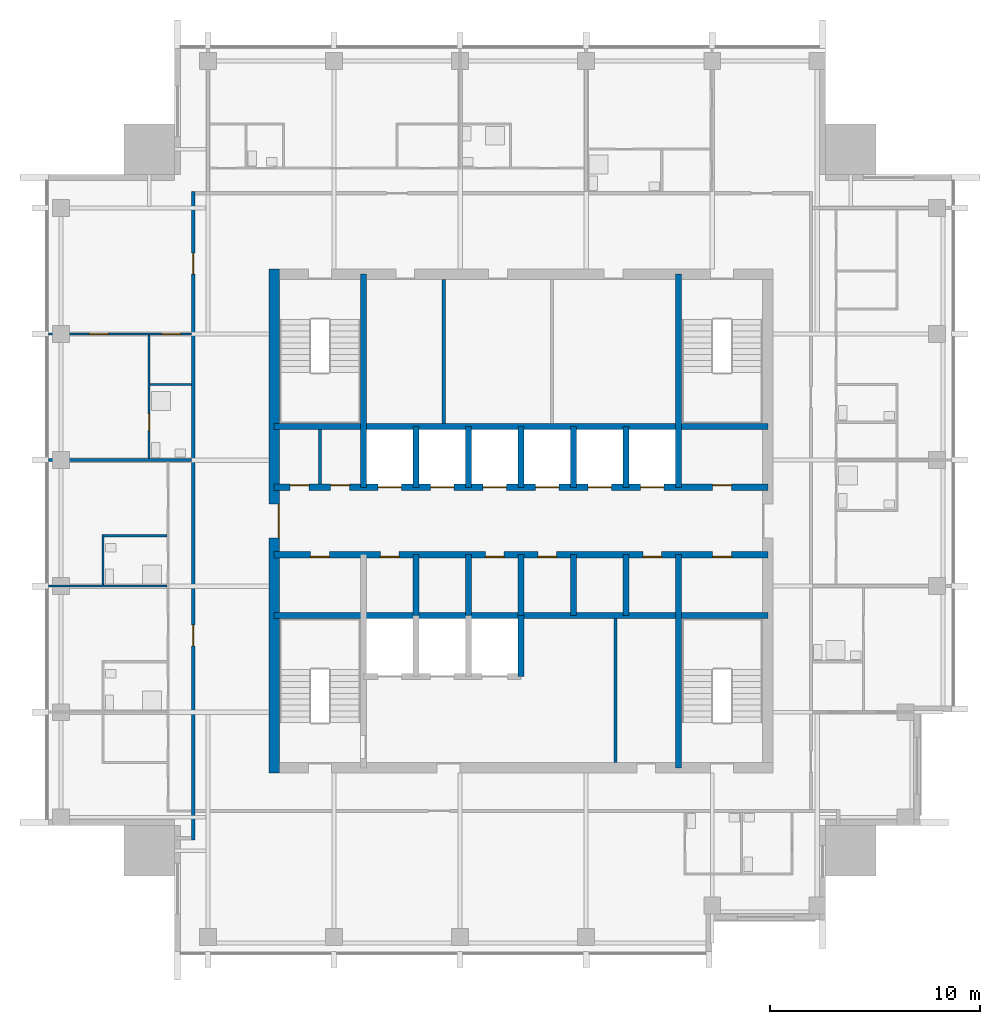
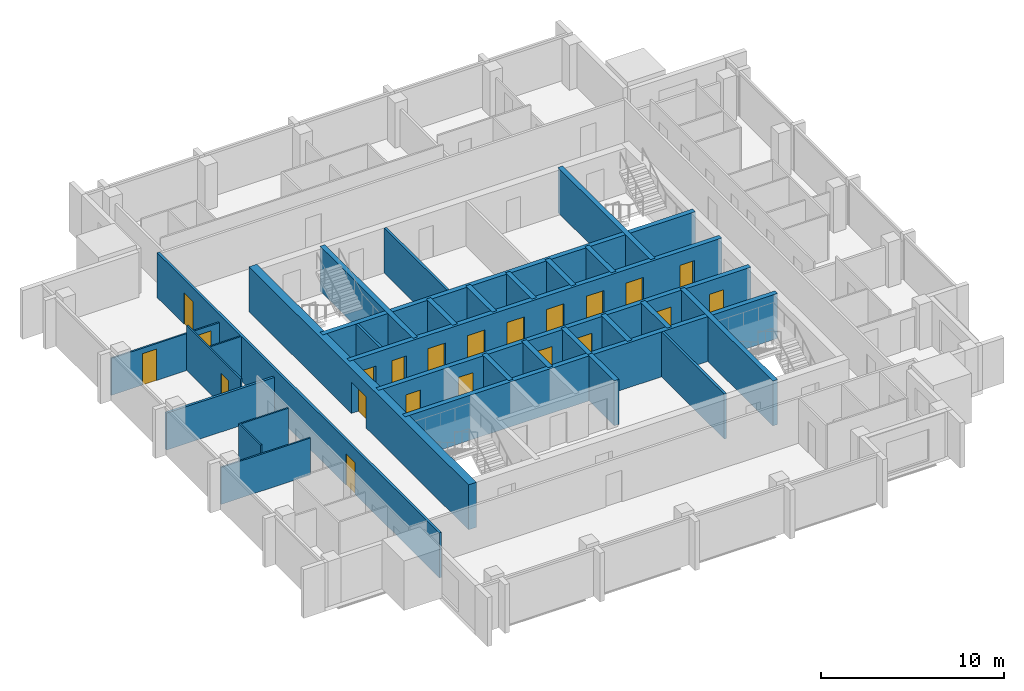
# One storey, part 4 of 9: 30 walls, 21 doors, 21 openings.
"""IFC4 building model written with IfcOpenShell, lengths in metres."""

from ifc_helpers import new_model, si_unit, direction, frame, frame_2d, origin, place, context, subcontext, project, spatial, rectangle, extrude, material, layer, layer_set, type_object, element, fill, save


model = new_model("IFC4")

# Units and contexts
model_context = context("Model", 3, precision=1e-05, world=origin(), true_north=direction((0.0, 1.0)))
body_context = subcontext(model_context, "Body", "Model", "MODEL_VIEW")
ifc_project = project(units=[si_unit("LENGTHUNIT", "METRE"), si_unit("AREAUNIT", "SQUARE_METRE"), si_unit("VOLUMEUNIT", "CUBIC_METRE"), si_unit("PLANEANGLEUNIT", "RADIAN"), si_unit("MASSUNIT", "GRAM", prefix="KILO")], contexts=[model_context])

# Site, building, storey
site_placement = place(None, origin())
site = spatial("IfcSite", under=ifc_project, at=site_placement, CompositionType="ELEMENT")
building_placement = place(site_placement, origin())
building = spatial("IfcBuilding", under=site, at=building_placement, Name="Amberfall Residences", CompositionType="ELEMENT")
storey_placement = place(building_placement, frame((0.0, 0.0, 278.5)))
storey = spatial("IfcBuildingStorey", under=building, at=storey_placement, Name="L75", CompositionType="ELEMENT", Elevation=278.5)

# Wall
ifc_material_1 = material(Name="Concrete C50", Category="concrete")
ifc_layer_1 = layer(ifc_material_1, 0.300048828125)
ifc_layer_set_1 = layer_set([ifc_layer_1], Name="Core wall 300 C50")
wall_type_1 = type_object("IfcWallType", Name="Core wall 300 C50", PredefinedType="SHEAR", material=ifc_layer_set_1)
wall_1_placement = place(storey_placement, frame((62.75, 41.0, 0.0), z_axis=(0.0, 0.0, 1.0), x_axis=(1.0, 0.0, 0.0)))
element("IfcWall", 1, at=wall_1_placement, inside=storey, type_object=wall_type_1, Name="Core wall RW10 L75 H75", PredefinedType="SHEAR", context=body_context, shape_type="SweptSolid", body=[
    extrude(rectangle(XDim=23.5, YDim=0.300048828125, at=frame_2d((11.75, 0.0))), origin(), (0.0, 0.0, 1.0), 3.0),
])

# Wall, openings, doors
wall_2_placement = place(storey_placement, frame((62.75, 43.89990234375, 0.0), z_axis=(0.0, 0.0, 1.0), x_axis=(1.0, 0.0, 0.0)))
wall_2 = element("IfcWall", 2, at=wall_2_placement, inside=storey, type_object=wall_type_1, Name="Core wall RW10 L75 H104", PredefinedType="SHEAR", context=body_context, shape_type="SweptSolid", body=[
    extrude(rectangle(XDim=23.5, YDim=0.300048828125, at=frame_2d((11.75, 0.0))), origin(), (0.0, 0.0, 1.0), 3.0),
])
opening_1_placement = place(wall_2_placement, frame((1.72509765625, 0.0, 0.0)))
opening_1 = element("IfcOpeningElement", 3, at=opening_1_placement, cuts=wall_2, Name="Opening RD1", PredefinedType="OPENING", context=body_context, shape_type="SweptSolid", body=[
    extrude(rectangle(XDim=0.89990234375, YDim=2.10009765625, at=frame_2d((0.449951171875, 1.050048828125))), frame((0.0, 0.159912109375, 0.0), z_axis=(0.0, -1.0, 0.0), x_axis=(1.0, 0.0, 0.0)), (0.0, 0.0, 1.0), 0.320068359375),
])
opening_2_placement = place(wall_2_placement, frame((20.875, 0.0, 0.0)))
opening_2 = element("IfcOpeningElement", 4, at=opening_2_placement, cuts=wall_2, Name="Opening RD1", PredefinedType="OPENING", context=body_context, shape_type="SweptSolid", body=[
    extrude(rectangle(XDim=0.89990234375, YDim=2.10009765625, at=frame_2d((0.449951171875, 1.050048828125))), frame((0.0, 0.159912109375, 0.0), z_axis=(0.0, -1.0, 0.0), x_axis=(1.0, 0.0, 0.0)), (0.0, 0.0, 1.0), 0.320068359375),
])
opening_3_placement = place(wall_2_placement, frame((5.050048828125, 0.0, 0.0)))
opening_3 = element("IfcOpeningElement", 5, at=opening_3_placement, cuts=wall_2, Name="Opening RD1", PredefinedType="OPENING", context=body_context, shape_type="SweptSolid", body=[
    extrude(rectangle(XDim=0.89990234375, YDim=2.10009765625, at=frame_2d((0.449951171875, 1.050048828125))), frame((0.0, 0.159912109375, 0.0), z_axis=(0.0, -1.0, 0.0), x_axis=(1.0, 0.0, 0.0)), (0.0, 0.0, 1.0), 0.320068359375),
])
opening_4_placement = place(wall_2_placement, frame((10.050048828125, 0.0, 0.0)))
opening_4 = element("IfcOpeningElement", 6, at=opening_4_placement, cuts=wall_2, Name="Opening RD1", PredefinedType="OPENING", context=body_context, shape_type="SweptSolid", body=[
    extrude(rectangle(XDim=0.89990234375, YDim=2.10009765625, at=frame_2d((0.449951171875, 1.050048828125))), frame((0.0, 0.159912109375, 0.0), z_axis=(0.0, -1.0, 0.0), x_axis=(1.0, 0.0, 0.0)), (0.0, 0.0, 1.0), 0.320068359375),
])
opening_5_placement = place(wall_2_placement, frame((12.550048828125, 0.0, 0.0)))
opening_5 = element("IfcOpeningElement", 7, at=opening_5_placement, cuts=wall_2, Name="Opening RD1", PredefinedType="OPENING", context=body_context, shape_type="SweptSolid", body=[
    extrude(rectangle(XDim=0.89990234375, YDim=2.10009765625, at=frame_2d((0.449951171875, 1.050048828125))), frame((0.0, 0.159912109375, 0.0), z_axis=(0.0, -1.0, 0.0), x_axis=(1.0, 0.0, 0.0)), (0.0, 0.0, 1.0), 0.320068359375),
])
opening_6_placement = place(wall_2_placement, frame((17.550048828125, 0.0, 0.0)))
opening_6 = element("IfcOpeningElement", 8, at=opening_6_placement, cuts=wall_2, Name="Opening RD1", PredefinedType="OPENING", context=body_context, shape_type="SweptSolid", body=[
    extrude(rectangle(XDim=0.89990234375, YDim=2.10009765625, at=frame_2d((0.449951171875, 1.050048828125))), frame((0.0, 0.159912109375, 0.0), z_axis=(0.0, -1.0, 0.0), x_axis=(1.0, 0.0, 0.0)), (0.0, 0.0, 1.0), 0.320068359375),
])
ifc_material_2 = material(Name="Steel fire door set", Category="steel")
door_type_1 = type_object("IfcDoorType", Name="Service room door 900 x 2100", OperationType="SINGLE_SWING_LEFT", PredefinedType="DOOR", material=ifc_material_2)
door_1_placement = place(opening_1_placement, origin())
door_1 = element("IfcDoor", 9, at=door_1_placement, inside=storey, type_object=door_type_1, Name="RD1 L75", OperationType="SINGLE_SWING_LEFT", OverallHeight=2.10009765625, OverallWidth=0.89990234375, PredefinedType="DOOR", context=body_context, shape_type="SweptSolid", body=[
    extrude(rectangle(XDim=0.89990234375, YDim=2.10009765625, at=frame_2d((0.449951171875, 1.050048828125))), frame((0.0, -0.08740234375, 0.0), z_axis=(0.0, -1.0, 0.0), x_axis=(1.0, 0.0, 0.0)), (0.0, 0.0, 1.0), 0.050048828125),
])
fill(opening_1, door_1)
door_2_placement = place(opening_2_placement, origin())
door_2 = element("IfcDoor", 10, at=door_2_placement, inside=storey, type_object=door_type_1, Name="RD1 L75", OperationType="SINGLE_SWING_LEFT", OverallHeight=2.10009765625, OverallWidth=0.89990234375, PredefinedType="DOOR", context=body_context, shape_type="SweptSolid", body=[
    extrude(rectangle(XDim=0.89990234375, YDim=2.10009765625, at=frame_2d((0.449951171875, 1.050048828125))), frame((0.0, -0.08740234375, 0.0), z_axis=(0.0, -1.0, 0.0), x_axis=(1.0, 0.0, 0.0)), (0.0, 0.0, 1.0), 0.050048828125),
])
fill(opening_2, door_2)
door_3_placement = place(opening_3_placement, origin())
door_3 = element("IfcDoor", 11, at=door_3_placement, inside=storey, type_object=door_type_1, Name="RD1 L75", OperationType="SINGLE_SWING_RIGHT", OverallHeight=2.10009765625, OverallWidth=0.89990234375, PredefinedType="DOOR", context=body_context, shape_type="SweptSolid", body=[
    extrude(rectangle(XDim=0.89990234375, YDim=2.10009765625, at=frame_2d((0.449951171875, 1.050048828125))), frame((0.0, -0.08740234375, 0.0), z_axis=(0.0, -1.0, 0.0), x_axis=(1.0, 0.0, 0.0)), (0.0, 0.0, 1.0), 0.050048828125),
])
fill(opening_3, door_3)
door_4_placement = place(opening_4_placement, origin())
door_4 = element("IfcDoor", 12, at=door_4_placement, inside=storey, type_object=door_type_1, Name="RD1 L75", OperationType="SINGLE_SWING_RIGHT", OverallHeight=2.10009765625, OverallWidth=0.89990234375, PredefinedType="DOOR", context=body_context, shape_type="SweptSolid", body=[
    extrude(rectangle(XDim=0.89990234375, YDim=2.10009765625, at=frame_2d((0.449951171875, 1.050048828125))), frame((0.0, -0.08740234375, 0.0), z_axis=(0.0, -1.0, 0.0), x_axis=(1.0, 0.0, 0.0)), (0.0, 0.0, 1.0), 0.050048828125),
])
fill(opening_4, door_4)
door_5_placement = place(opening_5_placement, origin())
door_5 = element("IfcDoor", 13, at=door_5_placement, inside=storey, type_object=door_type_1, Name="RD1 L75", OperationType="SINGLE_SWING_LEFT", OverallHeight=2.10009765625, OverallWidth=0.89990234375, PredefinedType="DOOR", context=body_context, shape_type="SweptSolid", body=[
    extrude(rectangle(XDim=0.89990234375, YDim=2.10009765625, at=frame_2d((0.449951171875, 1.050048828125))), frame((0.0, -0.08740234375, 0.0), z_axis=(0.0, -1.0, 0.0), x_axis=(1.0, 0.0, 0.0)), (0.0, 0.0, 1.0), 0.050048828125),
])
fill(opening_5, door_5)
door_6_placement = place(opening_6_placement, origin())
door_6 = element("IfcDoor", 14, at=door_6_placement, inside=storey, type_object=door_type_1, Name="RD1 L75", OperationType="SINGLE_SWING_LEFT", OverallHeight=2.10009765625, OverallWidth=0.89990234375, PredefinedType="DOOR", context=body_context, shape_type="SweptSolid", body=[
    extrude(rectangle(XDim=0.89990234375, YDim=2.10009765625, at=frame_2d((0.449951171875, 1.050048828125))), frame((0.0, -0.08740234375, 0.0), z_axis=(0.0, -1.0, 0.0), x_axis=(1.0, 0.0, 0.0)), (0.0, 0.0, 1.0), 0.050048828125),
])
fill(opening_6, door_6)

wall_3_placement = place(storey_placement, frame((62.75, 47.10009765625, 0.0), z_axis=(0.0, 0.0, 1.0), x_axis=(1.0, 0.0, 0.0)))
wall_3 = element("IfcWall", 15, at=wall_3_placement, inside=storey, type_object=wall_type_1, Name="Core wall RW10 L75 H136", PredefinedType="SHEAR", context=body_context, shape_type="SweptSolid", body=[
    extrude(rectangle(XDim=23.5, YDim=0.300048828125, at=frame_2d((11.75, 0.0))), origin(), (0.0, 0.0, 1.0), 3.0),
])
opening_7_placement = place(wall_3_placement, frame((0.762451171875, 0.0, 0.0)))
opening_7 = element("IfcOpeningElement", 16, at=opening_7_placement, cuts=wall_3, Name="Opening RD1", PredefinedType="OPENING", context=body_context, shape_type="SweptSolid", body=[
    extrude(rectangle(XDim=0.89990234375, YDim=2.10009765625, at=frame_2d((0.449951171875, 1.050048828125))), frame((0.0, 0.159912109375, 0.0), z_axis=(0.0, -1.0, 0.0), x_axis=(1.0, 0.0, 0.0)), (0.0, 0.0, 1.0), 0.320068359375),
])
opening_8_placement = place(wall_3_placement, frame((2.6875, 0.0, 0.0)))
opening_8 = element("IfcOpeningElement", 17, at=opening_8_placement, cuts=wall_3, Name="Opening RD1", PredefinedType="OPENING", context=body_context, shape_type="SweptSolid", body=[
    extrude(rectangle(XDim=0.89990234375, YDim=2.10009765625, at=frame_2d((0.449951171875, 1.050048828125))), frame((0.0, 0.159912109375, 0.0), z_axis=(0.0, -1.0, 0.0), x_axis=(1.0, 0.0, 0.0)), (0.0, 0.0, 1.0), 0.320068359375),
])
opening_9_placement = place(wall_3_placement, frame((20.875, 0.0, 0.0)))
opening_9 = element("IfcOpeningElement", 18, at=opening_9_placement, cuts=wall_3, Name="Opening RD1", PredefinedType="OPENING", context=body_context, shape_type="SweptSolid", body=[
    extrude(rectangle(XDim=0.89990234375, YDim=2.10009765625, at=frame_2d((0.449951171875, 1.050048828125))), frame((0.0, 0.159912109375, 0.0), z_axis=(0.0, -1.0, 0.0), x_axis=(1.0, 0.0, 0.0)), (0.0, 0.0, 1.0), 0.320068359375),
])
opening_10_placement = place(wall_3_placement, frame((4.949951171875, 0.0, 0.0)))
opening_10 = element("IfcOpeningElement", 19, at=opening_10_placement, cuts=wall_3, Name="Opening LD1", PredefinedType="OPENING", context=body_context, shape_type="SweptSolid", body=[
    extrude(rectangle(XDim=1.10009765625, YDim=2.10009765625, at=frame_2d((0.550048828125, 1.050048828125))), frame((0.0, 0.159912109375, 0.0), z_axis=(0.0, -1.0, 0.0), x_axis=(1.0, 0.0, 0.0)), (0.0, 0.0, 1.0), 0.320068359375),
])
opening_11_placement = place(wall_3_placement, frame((7.449951171875, 0.0, 0.0)))
opening_11 = element("IfcOpeningElement", 20, at=opening_11_placement, cuts=wall_3, Name="Opening LD1", PredefinedType="OPENING", context=body_context, shape_type="SweptSolid", body=[
    extrude(rectangle(XDim=1.10009765625, YDim=2.10009765625, at=frame_2d((0.550048828125, 1.050048828125))), frame((0.0, 0.159912109375, 0.0), z_axis=(0.0, -1.0, 0.0), x_axis=(1.0, 0.0, 0.0)), (0.0, 0.0, 1.0), 0.320068359375),
])
opening_12_placement = place(wall_3_placement, frame((9.949951171875, 0.0, 0.0)))
opening_12 = element("IfcOpeningElement", 21, at=opening_12_placement, cuts=wall_3, Name="Opening LD1", PredefinedType="OPENING", context=body_context, shape_type="SweptSolid", body=[
    extrude(rectangle(XDim=1.10009765625, YDim=2.10009765625, at=frame_2d((0.550048828125, 1.050048828125))), frame((0.0, 0.159912109375, 0.0), z_axis=(0.0, -1.0, 0.0), x_axis=(1.0, 0.0, 0.0)), (0.0, 0.0, 1.0), 0.320068359375),
])
opening_13_placement = place(wall_3_placement, frame((12.449951171875, 0.0, 0.0)))
opening_13 = element("IfcOpeningElement", 22, at=opening_13_placement, cuts=wall_3, Name="Opening LD1", PredefinedType="OPENING", context=body_context, shape_type="SweptSolid", body=[
    extrude(rectangle(XDim=1.10009765625, YDim=2.10009765625, at=frame_2d((0.550048828125, 1.050048828125))), frame((0.0, 0.159912109375, 0.0), z_axis=(0.0, -1.0, 0.0), x_axis=(1.0, 0.0, 0.0)), (0.0, 0.0, 1.0), 0.320068359375),
])
opening_14_placement = place(wall_3_placement, frame((14.949951171875, 0.0, 0.0)))
opening_14 = element("IfcOpeningElement", 23, at=opening_14_placement, cuts=wall_3, Name="Opening LD1", PredefinedType="OPENING", context=body_context, shape_type="SweptSolid", body=[
    extrude(rectangle(XDim=1.10009765625, YDim=2.10009765625, at=frame_2d((0.550048828125, 1.050048828125))), frame((0.0, 0.159912109375, 0.0), z_axis=(0.0, -1.0, 0.0), x_axis=(1.0, 0.0, 0.0)), (0.0, 0.0, 1.0), 0.320068359375),
])
opening_15_placement = place(wall_3_placement, frame((17.449951171875, 0.0, 0.0)))
opening_15 = element("IfcOpeningElement", 24, at=opening_15_placement, cuts=wall_3, Name="Opening LD1", PredefinedType="OPENING", context=body_context, shape_type="SweptSolid", body=[
    extrude(rectangle(XDim=1.10009765625, YDim=2.10009765625, at=frame_2d((0.550048828125, 1.050048828125))), frame((0.0, 0.159912109375, 0.0), z_axis=(0.0, -1.0, 0.0), x_axis=(1.0, 0.0, 0.0)), (0.0, 0.0, 1.0), 0.320068359375),
])
door_type_2 = type_object("IfcDoorType", Name="Lift landing door 1100 x 2100", OperationType="DOUBLE_DOOR_SLIDING", PredefinedType="DOOR", material=ifc_material_2)
door_7_placement = place(opening_10_placement, origin())
door_7 = element("IfcDoor", 25, at=door_7_placement, inside=storey, type_object=door_type_2, Name="Landing door HP1 L75", OperationType="DOUBLE_DOOR_SLIDING", OverallHeight=2.10009765625, OverallWidth=1.10009765625, PredefinedType="DOOR", context=body_context, shape_type="SweptSolid", body=[
    extrude(rectangle(XDim=1.10009765625, YDim=2.10009765625, at=frame_2d((0.550048828125, 1.050048828125))), frame((0.0, 0.02490234375, 0.0), z_axis=(0.0, -1.0, 0.0), x_axis=(1.0, 0.0, 0.0)), (0.0, 0.0, 1.0), 0.050048828125),
])
fill(opening_10, door_7)
door_8_placement = place(opening_11_placement, origin())
door_8 = element("IfcDoor", 26, at=door_8_placement, inside=storey, type_object=door_type_2, Name="Landing door HP2 L75", OperationType="DOUBLE_DOOR_SLIDING", OverallHeight=2.10009765625, OverallWidth=1.10009765625, PredefinedType="DOOR", context=body_context, shape_type="SweptSolid", body=[
    extrude(rectangle(XDim=1.10009765625, YDim=2.10009765625, at=frame_2d((0.550048828125, 1.050048828125))), frame((0.0, 0.02490234375, 0.0), z_axis=(0.0, -1.0, 0.0), x_axis=(1.0, 0.0, 0.0)), (0.0, 0.0, 1.0), 0.050048828125),
])
fill(opening_11, door_8)
door_9_placement = place(opening_12_placement, origin())
door_9 = element("IfcDoor", 27, at=door_9_placement, inside=storey, type_object=door_type_2, Name="Landing door HP3 L75", OperationType="DOUBLE_DOOR_SLIDING", OverallHeight=2.10009765625, OverallWidth=1.10009765625, PredefinedType="DOOR", context=body_context, shape_type="SweptSolid", body=[
    extrude(rectangle(XDim=1.10009765625, YDim=2.10009765625, at=frame_2d((0.550048828125, 1.050048828125))), frame((0.0, 0.02490234375, 0.0), z_axis=(0.0, -1.0, 0.0), x_axis=(1.0, 0.0, 0.0)), (0.0, 0.0, 1.0), 0.050048828125),
])
fill(opening_12, door_9)
door_10_placement = place(opening_13_placement, origin())
door_10 = element("IfcDoor", 28, at=door_10_placement, inside=storey, type_object=door_type_2, Name="Landing door HP4 L75", OperationType="DOUBLE_DOOR_SLIDING", OverallHeight=2.10009765625, OverallWidth=1.10009765625, PredefinedType="DOOR", context=body_context, shape_type="SweptSolid", body=[
    extrude(rectangle(XDim=1.10009765625, YDim=2.10009765625, at=frame_2d((0.550048828125, 1.050048828125))), frame((0.0, 0.02490234375, 0.0), z_axis=(0.0, -1.0, 0.0), x_axis=(1.0, 0.0, 0.0)), (0.0, 0.0, 1.0), 0.050048828125),
])
fill(opening_13, door_10)
door_11_placement = place(opening_14_placement, origin())
door_11 = element("IfcDoor", 29, at=door_11_placement, inside=storey, type_object=door_type_2, Name="Landing door HP5 L75", OperationType="DOUBLE_DOOR_SLIDING", OverallHeight=2.10009765625, OverallWidth=1.10009765625, PredefinedType="DOOR", context=body_context, shape_type="SweptSolid", body=[
    extrude(rectangle(XDim=1.10009765625, YDim=2.10009765625, at=frame_2d((0.550048828125, 1.050048828125))), frame((0.0, 0.02490234375, 0.0), z_axis=(0.0, -1.0, 0.0), x_axis=(1.0, 0.0, 0.0)), (0.0, 0.0, 1.0), 0.050048828125),
])
fill(opening_14, door_11)
door_12_placement = place(opening_15_placement, origin())
door_12 = element("IfcDoor", 30, at=door_12_placement, inside=storey, type_object=door_type_2, Name="Landing door HP6 L75", OperationType="DOUBLE_DOOR_SLIDING", OverallHeight=2.10009765625, OverallWidth=1.10009765625, PredefinedType="DOOR", context=body_context, shape_type="SweptSolid", body=[
    extrude(rectangle(XDim=1.10009765625, YDim=2.10009765625, at=frame_2d((0.550048828125, 1.050048828125))), frame((0.0, 0.02490234375, 0.0), z_axis=(0.0, -1.0, 0.0), x_axis=(1.0, 0.0, 0.0)), (0.0, 0.0, 1.0), 0.050048828125),
])
fill(opening_15, door_12)
door_13_placement = place(opening_7_placement, origin())
door_13 = element("IfcDoor", 31, at=door_13_placement, inside=storey, type_object=door_type_1, Name="RD1 L75", OperationType="SINGLE_SWING_LEFT", OverallHeight=2.10009765625, OverallWidth=0.89990234375, PredefinedType="DOOR", context=body_context, shape_type="SweptSolid", body=[
    extrude(rectangle(XDim=0.89990234375, YDim=2.10009765625, at=frame_2d((0.449951171875, 1.050048828125))), frame((0.0, 0.1376953125, 0.0), z_axis=(0.0, -1.0, 0.0), x_axis=(1.0, 0.0, 0.0)), (0.0, 0.0, 1.0), 0.050048828125),
])
fill(opening_7, door_13)
door_14_placement = place(opening_8_placement, origin())
door_14 = element("IfcDoor", 32, at=door_14_placement, inside=storey, type_object=door_type_1, Name="RD1 L75", OperationType="SINGLE_SWING_RIGHT", OverallHeight=2.10009765625, OverallWidth=0.89990234375, PredefinedType="DOOR", context=body_context, shape_type="SweptSolid", body=[
    extrude(rectangle(XDim=0.89990234375, YDim=2.10009765625, at=frame_2d((0.449951171875, 1.050048828125))), frame((0.0, 0.1376953125, 0.0), z_axis=(0.0, -1.0, 0.0), x_axis=(1.0, 0.0, 0.0)), (0.0, 0.0, 1.0), 0.050048828125),
])
fill(opening_8, door_14)
door_15_placement = place(opening_9_placement, origin())
door_15 = element("IfcDoor", 33, at=door_15_placement, inside=storey, type_object=door_type_1, Name="RD1 L75", OperationType="SINGLE_SWING_LEFT", OverallHeight=2.10009765625, OverallWidth=0.89990234375, PredefinedType="DOOR", context=body_context, shape_type="SweptSolid", body=[
    extrude(rectangle(XDim=0.89990234375, YDim=2.10009765625, at=frame_2d((0.449951171875, 1.050048828125))), frame((0.0, 0.1376953125, 0.0), z_axis=(0.0, -1.0, 0.0), x_axis=(1.0, 0.0, 0.0)), (0.0, 0.0, 1.0), 0.050048828125),
])
fill(opening_9, door_15)

# Walls
wall_4_placement = place(storey_placement, frame((62.75, 50.0, 0.0), z_axis=(0.0, 0.0, 1.0), x_axis=(1.0, 0.0, 0.0)))
element("IfcWall", 34, at=wall_4_placement, inside=storey, type_object=wall_type_1, Name="Core wall RW10 L75 H165", PredefinedType="SHEAR", context=body_context, shape_type="SweptSolid", body=[
    extrude(rectangle(XDim=23.5, YDim=0.300048828125, at=frame_2d((11.75, 0.0))), origin(), (0.0, 0.0, 1.0), 3.0),
])
for number, where, z_axis, x_axis, name in (
    (35, (67.0, 47.10009765625, 0.0), (0.0, 0.0, 1.0), (0.0, 1.0, 0.0), "Core wall RW10 L75 V45N"),
    (36, (82.0, 33.75, 0.0), (0.0, 0.0, 1.0), (0.0, 1.0, 0.0), "Core wall RW10 L75 V195S"),
    (37, (82.0, 47.10009765625, 0.0), (0.0, 0.0, 1.0), (0.0, 1.0, 0.0), "Core wall RW10 L75 V195N"),
):
    element("IfcWall", number, at=place(storey_placement, frame(where, z_axis=z_axis, x_axis=x_axis)), inside=storey, type_object=wall_type_1, Name=name, PredefinedType="SHEAR", context=body_context, shape_type="SweptSolid", body=[
        extrude(rectangle(XDim=10.14990234375, YDim=0.300048828125, at=frame_2d((5.074951171875, 0.0))), origin(), (0.0, 0.0, 1.0), 3.0),
    ])
for number, where, z_axis, x_axis, name in (
    (38, (69.5, 41.0, 0.0), (0.0, 0.0, 1.0), (0.0, 1.0, 0.0), "Core wall RW10 L75 LPD1"),
    (39, (69.5, 47.10009765625, 0.0), (0.0, 0.0, 1.0), (0.0, 1.0, 0.0), "Core wall RW10 L75 HPD1"),
    (40, (72.0, 41.0, 0.0), (0.0, 0.0, 1.0), (0.0, 1.0, 0.0), "Core wall RW10 L75 LPD2"),
    (41, (72.0, 47.10009765625, 0.0), (0.0, 0.0, 1.0), (0.0, 1.0, 0.0), "Core wall RW10 L75 HPD2"),
    (42, (74.5, 41.0, 0.0), (0.0, 0.0, 1.0), (0.0, 1.0, 0.0), "Core wall RW10 L75 LPD3"),
    (43, (74.5, 47.10009765625, 0.0), (0.0, 0.0, 1.0), (0.0, 1.0, 0.0), "Core wall RW10 L75 HPD3"),
    (44, (77.0, 41.0, 0.0), (0.0, 0.0, 1.0), (0.0, 1.0, 0.0), "Core wall RW10 L75 LPD4"),
    (45, (77.0, 47.10009765625, 0.0), (0.0, 0.0, 1.0), (0.0, 1.0, 0.0), "Core wall RW10 L75 HPD4"),
    (46, (79.5, 41.0, 0.0), (0.0, 0.0, 1.0), (0.0, 1.0, 0.0), "Core wall RW10 L75 LPD5"),
    (47, (79.5, 47.10009765625, 0.0), (0.0, 0.0, 1.0), (0.0, 1.0, 0.0), "Core wall RW10 L75 HPD5"),
    (48, (74.5, 38.10009765625, 0.0), (0.0, 0.0, 1.0), (0.0, 1.0, 0.0), "Core wall RW10 L75 FFD3"),
):
    element("IfcWall", number, at=place(storey_placement, frame(where, z_axis=z_axis, x_axis=x_axis)), inside=storey, type_object=wall_type_1, Name=name, PredefinedType="SHEAR", context=body_context, shape_type="SweptSolid", body=[
        extrude(rectangle(XDim=2.89990234375, YDim=0.300048828125, at=frame_2d((1.449951171875, 0.0))), origin(), (0.0, 0.0, 1.0), 3.0),
    ])

# Wall, opening, door
ifc_layer_2 = layer(ifc_material_1, 0.5)
ifc_layer_set_2 = layer_set([ifc_layer_2], Name="Core wall 500 C50")
wall_type_2 = type_object("IfcWallType", Name="Core wall 500 C50", PredefinedType="SHEAR", material=ifc_layer_set_2)
wall_5_placement = place(storey_placement, frame((62.75, 33.5, 0.0), z_axis=(0.0, 0.0, 1.0), x_axis=(0.0, 1.0, 0.0)))
wall_5 = element("IfcWall", 49, at=wall_5_placement, inside=storey, type_object=wall_type_2, Name="Core wall RW9 L75 OW", PredefinedType="SHEAR", context=body_context, shape_type="SweptSolid", body=[
    extrude(rectangle(XDim=24.0, YDim=0.5, at=frame_2d((12.0, 0.0))), origin(), (0.0, 0.0, 1.0), 3.0),
])
opening_16_placement = place(wall_5_placement, frame((11.199951171875, 0.0, 0.0)))
opening_16 = element("IfcOpeningElement", 50, at=opening_16_placement, cuts=wall_5, Name="Opening LB1", PredefinedType="OPENING", context=body_context, shape_type="SweptSolid", body=[
    extrude(rectangle(XDim=1.60009765625, YDim=2.10009765625, at=frame_2d((0.800048828125, 1.050048828125))), frame((0.0, 0.260009765625, 0.0), z_axis=(0.0, -1.0, 0.0), x_axis=(1.0, 0.0, 0.0)), (0.0, 0.0, 1.0), 0.52001953125),
])
door_type_3 = type_object("IfcDoorType", Name="Lift lobby double door 1600 x 2100", OperationType="DOUBLE_DOOR_SINGLE_SWING", PredefinedType="DOOR", material=ifc_material_2)
door_16_placement = place(opening_16_placement, origin())
door_16 = element("IfcDoor", 51, at=door_16_placement, inside=storey, type_object=door_type_3, Name="LB1 L75", OperationType="DOUBLE_DOOR_SINGLE_SWING", OverallHeight=2.10009765625, OverallWidth=1.60009765625, PredefinedType="DOOR", context=body_context, shape_type="SweptSolid", body=[
    extrude(rectangle(XDim=1.60009765625, YDim=2.10009765625, at=frame_2d((0.800048828125, 1.050048828125))), frame((0.0, -0.1875, 0.0), z_axis=(0.0, -1.0, 0.0), x_axis=(1.0, 0.0, 0.0)), (0.0, 0.0, 1.0), 0.050048828125),
])
fill(opening_16, door_16)

# Wall
ifc_material_3 = material(Name="Gypsum board on metal stud")
ifc_layer_3 = layer(ifc_material_3, 0.10009765625)
ifc_layer_set_3 = layer_set([ifc_layer_3], Name="Flat partition 100")
wall_type_3 = type_object("IfcWallType", Name="Flat partition 100", PredefinedType="PARTITIONING", material=ifc_layer_set_3)
wall_6_placement = place(storey_placement, frame((54.60009765625, 42.449951171875, 0.0), z_axis=(0.0, 0.0, 1.0), x_axis=(0.0, 1.0, 0.0)))
element("IfcWall", 52, at=wall_6_placement, inside=storey, type_object=wall_type_3, Name="Partition 002", PredefinedType="PARTITIONING", context=body_context, shape_type="SweptSolid", body=[
    extrude(rectangle(XDim=2.400146484375, YDim=0.10009765625, at=frame_2d((1.2001953125, 0.0))), origin(), (0.0, 0.0, 1.0), 3.0),
])

# Wall, opening, door
wall_7_placement = place(storey_placement, frame((56.800048828125, 54.35009765625, 0.0), z_axis=(0.0, 0.0, 1.0), x_axis=(0.0, -1.0, 0.0)))
wall_7 = element("IfcWall", 53, at=wall_7_placement, inside=storey, type_object=wall_type_3, Name="Partition 003", PredefinedType="PARTITIONING", context=body_context, shape_type="SweptSolid", body=[
    extrude(rectangle(XDim=5.875, YDim=0.10009765625, at=frame_2d((2.9375, 0.0))), origin(), (0.0, 0.0, 1.0), 3.0),
])
opening_17_placement = place(wall_7_placement, frame((3.75, 0.0, 0.0)))
opening_17 = element("IfcOpeningElement", 54, at=opening_17_placement, cuts=wall_7, Name="Opening D42", PredefinedType="OPENING", context=body_context, shape_type="SweptSolid", body=[
    extrude(rectangle(XDim=0.800048828125, YDim=2.10009765625, at=frame_2d((0.39990234375, 1.050048828125))), frame((0.0, 0.06005859375, 0.0), z_axis=(0.0, -1.0, 0.0), x_axis=(1.0, 0.0, 0.0)), (0.0, 0.0, 1.0), 0.1201171875),
])
ifc_material_4 = material(Name="Timber", Category="wood")
door_type_4 = type_object("IfcDoorType", Name="Bathroom door 800 x 2100", OperationType="SINGLE_SWING_LEFT", PredefinedType="DOOR", material=ifc_material_4)
door_17_placement = place(opening_17_placement, origin())
door_17 = element("IfcDoor", 55, at=door_17_placement, inside=storey, type_object=door_type_4, Name="Door 7506 bath1", OperationType="SINGLE_SWING_LEFT", OverallHeight=2.10009765625, OverallWidth=0.800048828125, PredefinedType="DOOR", context=body_context, shape_type="SweptSolid", body=[
    extrude(rectangle(XDim=0.800048828125, YDim=2.10009765625, at=frame_2d((0.39990234375, 1.050048828125))), frame((0.0, 0.02490234375, 0.0), z_axis=(0.0, -1.0, 0.0), x_axis=(1.0, 0.0, 0.0)), (0.0, 0.0, 1.0), 0.050048828125),
])
fill(opening_17, door_17)

# Wall, openings, doors
wall_8_placement = place(storey_placement, frame((58.824951171875, 54.39990234375, 0.0), z_axis=(0.0, 0.0, 1.0), x_axis=(-1.0, 0.0, 0.0)))
wall_8 = element("IfcWall", 56, at=wall_8_placement, inside=storey, type_object=wall_type_3, Name="Partition 025", PredefinedType="PARTITIONING", context=body_context, shape_type="SweptSolid", body=[
    extrude(rectangle(XDim=6.824951171875, YDim=0.10009765625, at=frame_2d((3.41259765625, 0.0))), origin(), (0.0, 0.0, 1.0), 2.466064453125),
])
opening_18_placement = place(wall_8_placement, frame((0.52490234375, 0.0, 0.0)))
opening_18 = element("IfcOpeningElement", 57, at=opening_18_placement, cuts=wall_8, Name="Opening D41", PredefinedType="OPENING", context=body_context, shape_type="SweptSolid", body=[
    extrude(rectangle(XDim=0.89990234375, YDim=2.10009765625, at=frame_2d((0.449951171875, 1.050048828125))), frame((0.0, 0.06005859375, 0.0), z_axis=(0.0, -1.0, 0.0), x_axis=(1.0, 0.0, 0.0)), (0.0, 0.0, 1.0), 0.1201171875),
])
opening_19_placement = place(wall_8_placement, frame((3.97509765625, 0.0, 0.0)))
opening_19 = element("IfcOpeningElement", 58, at=opening_19_placement, cuts=wall_8, Name="Opening D41", PredefinedType="OPENING", context=body_context, shape_type="SweptSolid", body=[
    extrude(rectangle(XDim=0.89990234375, YDim=2.10009765625, at=frame_2d((0.449951171875, 1.050048828125))), frame((0.0, 0.06005859375, 0.0), z_axis=(0.0, -1.0, 0.0), x_axis=(1.0, 0.0, 0.0)), (0.0, 0.0, 1.0), 0.1201171875),
])
door_type_5 = type_object("IfcDoorType", Name="Internal door 900 x 2100", OperationType="SINGLE_SWING_LEFT", PredefinedType="DOOR", material=ifc_material_4)
door_18_placement = place(opening_18_placement, origin())
door_18 = element("IfcDoor", 59, at=door_18_placement, inside=storey, type_object=door_type_5, Name="Door 7506 kitchen", OperationType="SINGLE_SWING_LEFT", OverallHeight=2.10009765625, OverallWidth=0.89990234375, PredefinedType="DOOR", context=body_context, shape_type="SweptSolid", body=[
    extrude(rectangle(XDim=0.89990234375, YDim=2.10009765625, at=frame_2d((0.449951171875, 1.050048828125))), frame((0.0, 0.02490234375, 0.0), z_axis=(0.0, -1.0, 0.0), x_axis=(1.0, 0.0, 0.0)), (0.0, 0.0, 1.0), 0.050048828125),
])
fill(opening_18, door_18)
door_19_placement = place(opening_19_placement, origin())
door_19 = element("IfcDoor", 60, at=door_19_placement, inside=storey, type_object=door_type_5, Name="Door 7506 bedroom1", OperationType="SINGLE_SWING_LEFT", OverallHeight=2.10009765625, OverallWidth=0.89990234375, PredefinedType="DOOR", context=body_context, shape_type="SweptSolid", body=[
    extrude(rectangle(XDim=0.89990234375, YDim=2.10009765625, at=frame_2d((0.449951171875, 1.050048828125))), frame((0.0, 0.02490234375, 0.0), z_axis=(0.0, -1.0, 0.0), x_axis=(1.0, 0.0, 0.0)), (0.0, 0.0, 1.0), 0.050048828125),
])
fill(opening_19, door_19)

# Walls
wall_9_placement = place(storey_placement, frame((56.85009765625, 52.0, 0.0), z_axis=(0.0, 0.0, 1.0), x_axis=(1.0, 0.0, 0.0)))
element("IfcWall", 61, at=wall_9_placement, inside=storey, type_object=wall_type_3, Name="Partition 026", PredefinedType="PARTITIONING", context=body_context, shape_type="SweptSolid", body=[
    extrude(rectangle(XDim=1.974853515625, YDim=0.10009765625, at=frame_2d((0.9873046875, 0.0))), origin(), (0.0, 0.0, 1.0), 3.0),
])
wall_10_placement = place(storey_placement, frame((54.64990234375, 44.800048828125, 0.0), z_axis=(0.0, 0.0, 1.0), x_axis=(1.0, 0.0, 0.0)))
element("IfcWall", 62, at=wall_10_placement, inside=storey, type_object=wall_type_3, Name="Partition 031", PredefinedType="PARTITIONING", context=body_context, shape_type="SweptSolid", body=[
    extrude(rectangle(XDim=3.0, YDim=0.10009765625, at=frame_2d((1.5, 0.0))), origin(), (0.0, 0.0, 1.0), 3.0),
])
wall_11_placement = place(storey_placement, frame((52.0, 42.39990234375, 0.0), z_axis=(0.0, 0.0, 1.0), x_axis=(1.0, 0.0, 0.0)))
element("IfcWall", 63, at=wall_11_placement, inside=storey, type_object=wall_type_3, Name="Partition 032", PredefinedType="PARTITIONING", context=body_context, shape_type="SweptSolid", body=[
    extrude(rectangle(XDim=5.64990234375, YDim=0.10009765625, at=frame_2d((2.824951171875, 0.0))), origin(), (0.0, 0.0, 1.0), 2.466064453125),
])

# Wall, openings, doors
ifc_material_5 = material(Name="Blockwork, plastered", Category="masonry")
ifc_layer_4 = layer(ifc_material_5, 0.14990234375)
ifc_layer_set_4 = layer_set([ifc_layer_4], Name="Flat separating wall 150")
wall_type_4 = type_object("IfcWallType", Name="Flat separating wall 150", PredefinedType="PARTITIONING", material=ifc_layer_set_4)
wall_12_placement = place(storey_placement, frame((58.89990234375, 30.324951171875, 0.0), z_axis=(0.0, 0.0, 1.0), x_axis=(0.0, 1.0, 0.0)))
wall_12 = element("IfcWall", 64, at=wall_12_placement, inside=storey, type_object=wall_type_4, Name="Separating wall 040", PredefinedType="PARTITIONING", context=body_context, shape_type="SweptSolid", body=[
    extrude(rectangle(XDim=30.85009765625, YDim=0.14990234375, at=frame_2d((15.425048828125, 0.0))), origin(), (0.0, 0.0, 1.0), 3.0),
])
opening_20_placement = place(wall_12_placement, frame((9.22509765625, 0.0, 0.0)))
opening_20 = element("IfcOpeningElement", 65, at=opening_20_placement, cuts=wall_12, Name="Opening D40", PredefinedType="OPENING", context=body_context, shape_type="SweptSolid", body=[
    extrude(rectangle(XDim=1.0, YDim=2.10009765625, at=frame_2d((0.5, 1.050048828125))), frame((0.0, 0.0849609375, 0.0), z_axis=(0.0, -1.0, 0.0), x_axis=(1.0, 0.0, 0.0)), (0.0, 0.0, 1.0), 0.169921875),
])
opening_21_placement = place(wall_12_placement, frame((26.925048828125, 0.0, 0.0)))
opening_21 = element("IfcOpeningElement", 66, at=opening_21_placement, cuts=wall_12, Name="Opening D40", PredefinedType="OPENING", context=body_context, shape_type="SweptSolid", body=[
    extrude(rectangle(XDim=1.0, YDim=2.10009765625, at=frame_2d((0.5, 1.050048828125))), frame((0.0, 0.0849609375, 0.0), z_axis=(0.0, -1.0, 0.0), x_axis=(1.0, 0.0, 0.0)), (0.0, 0.0, 1.0), 0.169921875),
])
ifc_material_6 = material(Name="Timber, fire-rated", Category="wood")
door_type_6 = type_object("IfcDoorType", Name="Flat entrance door FD60 1000 x 2100", OperationType="SINGLE_SWING_LEFT", PredefinedType="DOOR", material=ifc_material_6)
door_20_placement = place(opening_20_placement, origin())
door_20 = element("IfcDoor", 67, at=door_20_placement, inside=storey, type_object=door_type_6, Name="Door 7505 entrance", OperationType="SINGLE_SWING_LEFT", OverallHeight=2.10009765625, OverallWidth=1.0, PredefinedType="DOOR", context=body_context, shape_type="SweptSolid", body=[
    extrude(rectangle(XDim=1.0, YDim=2.10009765625, at=frame_2d((0.5, 1.050048828125))), frame((0.0, 0.02490234375, 0.0), z_axis=(0.0, -1.0, 0.0), x_axis=(1.0, 0.0, 0.0)), (0.0, 0.0, 1.0), 0.050048828125),
])
fill(opening_20, door_20)
door_21_placement = place(opening_21_placement, origin())
door_21 = element("IfcDoor", 68, at=door_21_placement, inside=storey, type_object=door_type_6, Name="Door 7506 entrance", OperationType="SINGLE_SWING_LEFT", OverallHeight=2.10009765625, OverallWidth=1.0, PredefinedType="DOOR", context=body_context, shape_type="SweptSolid", body=[
    extrude(rectangle(XDim=1.0, YDim=2.10009765625, at=frame_2d((0.5, 1.050048828125))), frame((0.0, 0.02490234375, 0.0), z_axis=(0.0, -1.0, 0.0), x_axis=(1.0, 0.0, 0.0)), (0.0, 0.0, 1.0), 0.050048828125),
])
fill(opening_21, door_21)

# Walls
wall_13_placement = place(storey_placement, frame((52.0, 48.39990234375, 0.0), z_axis=(0.0, 0.0, 1.0), x_axis=(1.0, 0.0, 0.0)))
element("IfcWall", 69, at=wall_13_placement, inside=storey, type_object=wall_type_4, Name="Separating wall 047", PredefinedType="PARTITIONING", context=body_context, shape_type="SweptSolid", body=[
    extrude(rectangle(XDim=6.824951171875, YDim=0.14990234375, at=frame_2d((3.41259765625, 0.0))), origin(), (0.0, 0.0, 1.0), 2.466064453125),
])
ifc_material_7 = material(Name="Concrete blockwork", Category="masonry")
ifc_layer_5 = layer(ifc_material_7, 0.14990234375)
ifc_layer_set_5 = layer_set([ifc_layer_5], Name="Riser wall 150")
wall_type_5 = type_object("IfcWallType", Name="Riser wall 150", PredefinedType="PLUMBINGWALL", material=ifc_layer_set_5)
wall_14_placement = place(storey_placement, frame((79.0, 34.0, 0.0), z_axis=(0.0, 0.0, 1.0), x_axis=(0.0, 1.0, 0.0)))
element("IfcWall", 70, at=wall_14_placement, inside=storey, type_object=wall_type_5, Name="L75 core wall PX", PredefinedType="PLUMBINGWALL", context=body_context, shape_type="SweptSolid", body=[
    extrude(rectangle(XDim=6.85009765625, YDim=0.14990234375, at=frame_2d((3.425048828125, 0.0))), origin(), (0.0, 0.0, 1.0), 3.0),
])
wall_15_placement = place(storey_placement, frame((64.925048828125, 47.25, 0.0), z_axis=(0.0, 0.0, 1.0), x_axis=(0.0, 1.0, 0.0)))
element("IfcWall", 71, at=wall_15_placement, inside=storey, type_object=wall_type_5, Name="L75 core wall ANW0", PredefinedType="PLUMBINGWALL", context=body_context, shape_type="SweptSolid", body=[
    extrude(rectangle(XDim=2.60009765625, YDim=0.14990234375, at=frame_2d((1.300048828125, 0.0))), origin(), (0.0, 0.0, 1.0), 3.0),
])
wall_16_placement = place(storey_placement, frame((70.824951171875, 50.14990234375, 0.0), z_axis=(0.0, 0.0, 1.0), x_axis=(0.0, 1.0, 0.0)))
element("IfcWall", 72, at=wall_16_placement, inside=storey, type_object=wall_type_5, Name="L75 core wall N0", PredefinedType="PLUMBINGWALL", context=body_context, shape_type="SweptSolid", body=[
    extrude(rectangle(XDim=6.85009765625, YDim=0.14990234375, at=frame_2d((3.425048828125, 0.0))), origin(), (0.0, 0.0, 1.0), 3.0),
])

save(model, "model.ifc")
